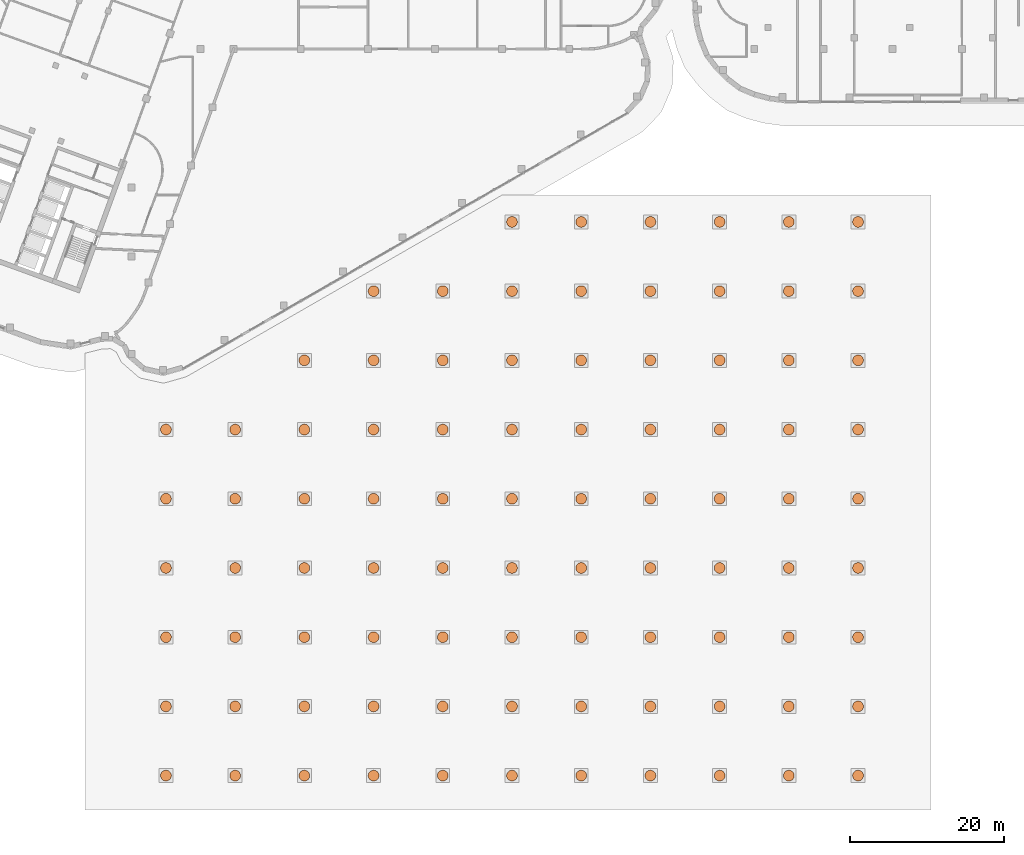
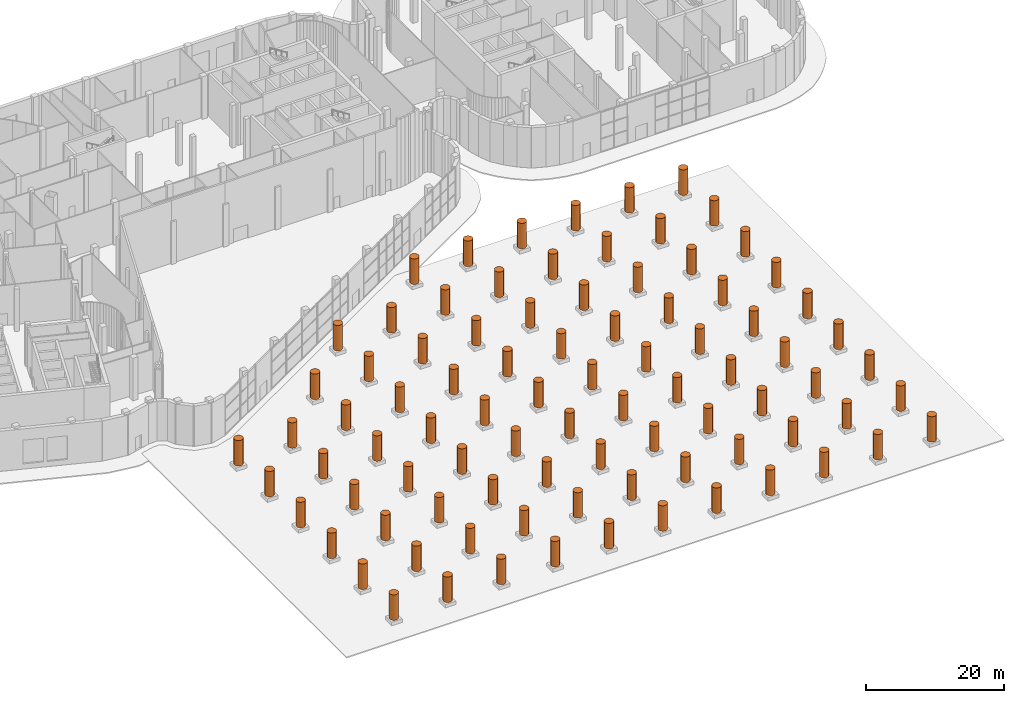
# One storey, part 30 of 30: 89 geographic elements.
"""IFC4 building model written with IfcOpenShell, lengths in metres."""

from ifc_helpers import new_model, si_unit, direction, frame, origin, origin_2d, place, context, subcontext, project, spatial, circle, extrude, element, save


model = new_model("IFC4")

# Units and contexts
model_context = context("Model", 3, precision=1e-05, world=origin(), true_north=direction((0.0, 1.0)))
body_context = subcontext(model_context, "Body", "Model", "MODEL_VIEW")
ifc_project = project(units=[si_unit("LENGTHUNIT", "METRE"), si_unit("AREAUNIT", "SQUARE_METRE"), si_unit("VOLUMEUNIT", "CUBIC_METRE"), si_unit("PLANEANGLEUNIT", "RADIAN"), si_unit("MASSUNIT", "GRAM", prefix="KILO")], contexts=[model_context])

# Site, building, storey
site_placement = place(None, origin())
site = spatial("IfcSite", under=ifc_project, at=site_placement, CompositionType="ELEMENT")
building_placement = place(site_placement, origin())
building = spatial("IfcBuilding", under=site, at=building_placement, Name="Skarvind Civic Tower", CompositionType="ELEMENT")
storey_placement = place(building_placement, origin())
storey = spatial("IfcBuildingStorey", under=building, at=storey_placement, Name="L00", CompositionType="ELEMENT", Elevation=0.0)

# Geographic elements
for number, where, z_axis, x_axis, name in (
    (1, (50.5, 14.5, 0.60009765625), (0.0, 0.0, 1.0), (1.0, 0.0, 0.0), "PLAZA TREE"),
    (2, (50.5, 23.5, 0.60009765625), (0.0, 0.0, 1.0), (1.0, 0.0, 0.0), "PLAZA TREE"),
    (3, (50.5, 32.5, 0.60009765625), (0.0, 0.0, 1.0), (1.0, 0.0, 0.0), "PLAZA TREE"),
    (4, (50.5, 41.5, 0.60009765625), (0.0, 0.0, 1.0), (1.0, 0.0, 0.0), "PLAZA TREE"),
    (5, (50.5, 50.5, 0.60009765625), (0.0, 0.0, 1.0), (1.0, 0.0, 0.0), "PLAZA TREE"),
    (6, (50.5, 59.5, 0.60009765625), (0.0, 0.0, 1.0), (1.0, 0.0, 0.0), "PLAZA TREE"),
    (7, (59.5, 14.5, 0.60009765625), (0.0, 0.0, 1.0), (1.0, 0.0, 0.0), "PLAZA TREE"),
    (8, (59.5, 23.5, 0.60009765625), (0.0, 0.0, 1.0), (1.0, 0.0, 0.0), "PLAZA TREE"),
    (9, (59.5, 32.5, 0.60009765625), (0.0, 0.0, 1.0), (1.0, 0.0, 0.0), "PLAZA TREE"),
    (10, (59.5, 41.5, 0.60009765625), (0.0, 0.0, 1.0), (1.0, 0.0, 0.0), "PLAZA TREE"),
    (11, (59.5, 50.5, 0.60009765625), (0.0, 0.0, 1.0), (1.0, 0.0, 0.0), "PLAZA TREE"),
    (12, (59.5, 59.5, 0.60009765625), (0.0, 0.0, 1.0), (1.0, 0.0, 0.0), "PLAZA TREE"),
    (13, (68.5, 14.5, 0.60009765625), (0.0, 0.0, 1.0), (1.0, 0.0, 0.0), "PLAZA TREE"),
    (14, (68.5, 23.5, 0.60009765625), (0.0, 0.0, 1.0), (1.0, 0.0, 0.0), "PLAZA TREE"),
    (15, (68.5, 32.5, 0.60009765625), (0.0, 0.0, 1.0), (1.0, 0.0, 0.0), "PLAZA TREE"),
    (16, (68.5, 41.5, 0.60009765625), (0.0, 0.0, 1.0), (1.0, 0.0, 0.0), "PLAZA TREE"),
    (17, (68.5, 50.5, 0.60009765625), (0.0, 0.0, 1.0), (1.0, 0.0, 0.0), "PLAZA TREE"),
    (18, (68.5, 59.5, 0.60009765625), (0.0, 0.0, 1.0), (1.0, 0.0, 0.0), "PLAZA TREE"),
    (19, (68.5, 68.5, 0.60009765625), (0.0, 0.0, 1.0), (1.0, 0.0, 0.0), "PLAZA TREE"),
    (20, (77.5, 14.5, 0.60009765625), (0.0, 0.0, 1.0), (1.0, 0.0, 0.0), "PLAZA TREE"),
    (21, (77.5, 23.5, 0.60009765625), (0.0, 0.0, 1.0), (1.0, 0.0, 0.0), "PLAZA TREE"),
    (22, (77.5, 32.5, 0.60009765625), (0.0, 0.0, 1.0), (1.0, 0.0, 0.0), "PLAZA TREE"),
    (23, (77.5, 41.5, 0.60009765625), (0.0, 0.0, 1.0), (1.0, 0.0, 0.0), "PLAZA TREE"),
    (24, (77.5, 50.5, 0.60009765625), (0.0, 0.0, 1.0), (1.0, 0.0, 0.0), "PLAZA TREE"),
    (25, (77.5, 59.5, 0.60009765625), (0.0, 0.0, 1.0), (1.0, 0.0, 0.0), "PLAZA TREE"),
    (26, (77.5, 68.5, 0.60009765625), (0.0, 0.0, 1.0), (1.0, 0.0, 0.0), "PLAZA TREE"),
    (27, (77.5, 77.5, 0.60009765625), (0.0, 0.0, 1.0), (1.0, 0.0, 0.0), "PLAZA TREE"),
    (28, (86.5, 14.5, 0.60009765625), (0.0, 0.0, 1.0), (1.0, 0.0, 0.0), "PLAZA TREE"),
    (29, (86.5, 23.5, 0.60009765625), (0.0, 0.0, 1.0), (1.0, 0.0, 0.0), "PLAZA TREE"),
    (30, (86.5, 32.5, 0.60009765625), (0.0, 0.0, 1.0), (1.0, 0.0, 0.0), "PLAZA TREE"),
    (31, (86.5, 41.5, 0.60009765625), (0.0, 0.0, 1.0), (1.0, 0.0, 0.0), "PLAZA TREE"),
    (32, (86.5, 50.5, 0.60009765625), (0.0, 0.0, 1.0), (1.0, 0.0, 0.0), "PLAZA TREE"),
    (33, (86.5, 59.5, 0.60009765625), (0.0, 0.0, 1.0), (1.0, 0.0, 0.0), "PLAZA TREE"),
    (34, (86.5, 68.5, 0.60009765625), (0.0, 0.0, 1.0), (1.0, 0.0, 0.0), "PLAZA TREE"),
    (35, (86.5, 77.5, 0.60009765625), (0.0, 0.0, 1.0), (1.0, 0.0, 0.0), "PLAZA TREE"),
    (36, (95.5, 14.5, 0.60009765625), (0.0, 0.0, 1.0), (1.0, 0.0, 0.0), "PLAZA TREE"),
    (37, (95.5, 23.5, 0.60009765625), (0.0, 0.0, 1.0), (1.0, 0.0, 0.0), "PLAZA TREE"),
    (38, (95.5, 32.5, 0.60009765625), (0.0, 0.0, 1.0), (1.0, 0.0, 0.0), "PLAZA TREE"),
    (39, (95.5, 41.5, 0.60009765625), (0.0, 0.0, 1.0), (1.0, 0.0, 0.0), "PLAZA TREE"),
    (40, (95.5, 50.5, 0.60009765625), (0.0, 0.0, 1.0), (1.0, 0.0, 0.0), "PLAZA TREE"),
    (41, (95.5, 59.5, 0.60009765625), (0.0, 0.0, 1.0), (1.0, 0.0, 0.0), "PLAZA TREE"),
    (42, (95.5, 68.5, 0.60009765625), (0.0, 0.0, 1.0), (1.0, 0.0, 0.0), "PLAZA TREE"),
    (43, (95.5, 77.5, 0.60009765625), (0.0, 0.0, 1.0), (1.0, 0.0, 0.0), "PLAZA TREE"),
    (44, (95.5, 86.5, 0.60009765625), (0.0, 0.0, 1.0), (1.0, 0.0, 0.0), "PLAZA TREE"),
    (45, (104.5, 14.5, 0.60009765625), (0.0, 0.0, 1.0), (1.0, 0.0, 0.0), "PLAZA TREE"),
    (46, (104.5, 23.5, 0.60009765625), (0.0, 0.0, 1.0), (1.0, 0.0, 0.0), "PLAZA TREE"),
    (47, (104.5, 32.5, 0.60009765625), (0.0, 0.0, 1.0), (1.0, 0.0, 0.0), "PLAZA TREE"),
    (48, (104.5, 41.5, 0.60009765625), (0.0, 0.0, 1.0), (1.0, 0.0, 0.0), "PLAZA TREE"),
    (49, (104.5, 50.5, 0.60009765625), (0.0, 0.0, 1.0), (1.0, 0.0, 0.0), "PLAZA TREE"),
    (50, (104.5, 59.5, 0.60009765625), (0.0, 0.0, 1.0), (1.0, 0.0, 0.0), "PLAZA TREE"),
    (51, (104.5, 68.5, 0.60009765625), (0.0, 0.0, 1.0), (1.0, 0.0, 0.0), "PLAZA TREE"),
    (52, (104.5, 77.5, 0.60009765625), (0.0, 0.0, 1.0), (1.0, 0.0, 0.0), "PLAZA TREE"),
    (53, (104.5, 86.5, 0.60009765625), (0.0, 0.0, 1.0), (1.0, 0.0, 0.0), "PLAZA TREE"),
    (54, (113.5, 14.5, 0.60009765625), (0.0, 0.0, 1.0), (1.0, 0.0, 0.0), "PLAZA TREE"),
    (55, (113.5, 23.5, 0.60009765625), (0.0, 0.0, 1.0), (1.0, 0.0, 0.0), "PLAZA TREE"),
    (56, (113.5, 32.5, 0.60009765625), (0.0, 0.0, 1.0), (1.0, 0.0, 0.0), "PLAZA TREE"),
    (57, (113.5, 41.5, 0.60009765625), (0.0, 0.0, 1.0), (1.0, 0.0, 0.0), "PLAZA TREE"),
    (58, (113.5, 50.5, 0.60009765625), (0.0, 0.0, 1.0), (1.0, 0.0, 0.0), "PLAZA TREE"),
    (59, (113.5, 59.5, 0.60009765625), (0.0, 0.0, 1.0), (1.0, 0.0, 0.0), "PLAZA TREE"),
    (60, (113.5, 68.5, 0.60009765625), (0.0, 0.0, 1.0), (1.0, 0.0, 0.0), "PLAZA TREE"),
    (61, (113.5, 77.5, 0.60009765625), (0.0, 0.0, 1.0), (1.0, 0.0, 0.0), "PLAZA TREE"),
    (62, (113.5, 86.5, 0.60009765625), (0.0, 0.0, 1.0), (1.0, 0.0, 0.0), "PLAZA TREE"),
    (63, (122.5, 14.5, 0.60009765625), (0.0, 0.0, 1.0), (1.0, 0.0, 0.0), "PLAZA TREE"),
    (64, (122.5, 23.5, 0.60009765625), (0.0, 0.0, 1.0), (1.0, 0.0, 0.0), "PLAZA TREE"),
    (65, (122.5, 32.5, 0.60009765625), (0.0, 0.0, 1.0), (1.0, 0.0, 0.0), "PLAZA TREE"),
    (66, (122.5, 41.5, 0.60009765625), (0.0, 0.0, 1.0), (1.0, 0.0, 0.0), "PLAZA TREE"),
    (67, (122.5, 50.5, 0.60009765625), (0.0, 0.0, 1.0), (1.0, 0.0, 0.0), "PLAZA TREE"),
    (68, (122.5, 59.5, 0.60009765625), (0.0, 0.0, 1.0), (1.0, 0.0, 0.0), "PLAZA TREE"),
    (69, (122.5, 68.5, 0.60009765625), (0.0, 0.0, 1.0), (1.0, 0.0, 0.0), "PLAZA TREE"),
    (70, (122.5, 77.5, 0.60009765625), (0.0, 0.0, 1.0), (1.0, 0.0, 0.0), "PLAZA TREE"),
    (71, (122.5, 86.5, 0.60009765625), (0.0, 0.0, 1.0), (1.0, 0.0, 0.0), "PLAZA TREE"),
    (72, (131.5, 14.5, 0.60009765625), (0.0, 0.0, 1.0), (1.0, 0.0, 0.0), "PLAZA TREE"),
    (73, (131.5, 23.5, 0.60009765625), (0.0, 0.0, 1.0), (1.0, 0.0, 0.0), "PLAZA TREE"),
    (74, (131.5, 32.5, 0.60009765625), (0.0, 0.0, 1.0), (1.0, 0.0, 0.0), "PLAZA TREE"),
    (75, (131.5, 41.5, 0.60009765625), (0.0, 0.0, 1.0), (1.0, 0.0, 0.0), "PLAZA TREE"),
    (76, (131.5, 50.5, 0.60009765625), (0.0, 0.0, 1.0), (1.0, 0.0, 0.0), "PLAZA TREE"),
    (77, (131.5, 59.5, 0.60009765625), (0.0, 0.0, 1.0), (1.0, 0.0, 0.0), "PLAZA TREE"),
    (78, (131.5, 68.5, 0.60009765625), (0.0, 0.0, 1.0), (1.0, 0.0, 0.0), "PLAZA TREE"),
    (79, (131.5, 77.5, 0.60009765625), (0.0, 0.0, 1.0), (1.0, 0.0, 0.0), "PLAZA TREE"),
    (80, (131.5, 86.5, 0.60009765625), (0.0, 0.0, 1.0), (1.0, 0.0, 0.0), "PLAZA TREE"),
    (81, (140.5, 14.5, 0.60009765625), (0.0, 0.0, 1.0), (1.0, 0.0, 0.0), "PLAZA TREE"),
    (82, (140.5, 23.5, 0.60009765625), (0.0, 0.0, 1.0), (1.0, 0.0, 0.0), "PLAZA TREE"),
    (83, (140.5, 32.5, 0.60009765625), (0.0, 0.0, 1.0), (1.0, 0.0, 0.0), "PLAZA TREE"),
    (84, (140.5, 41.5, 0.60009765625), (0.0, 0.0, 1.0), (1.0, 0.0, 0.0), "PLAZA TREE"),
    (85, (140.5, 50.5, 0.60009765625), (0.0, 0.0, 1.0), (1.0, 0.0, 0.0), "PLAZA TREE"),
    (86, (140.5, 59.5, 0.60009765625), (0.0, 0.0, 1.0), (1.0, 0.0, 0.0), "PLAZA TREE"),
    (87, (140.5, 68.5, 0.60009765625), (0.0, 0.0, 1.0), (1.0, 0.0, 0.0), "PLAZA TREE"),
    (88, (140.5, 77.5, 0.60009765625), (0.0, 0.0, 1.0), (1.0, 0.0, 0.0), "PLAZA TREE"),
    (89, (140.5, 86.5, 0.60009765625), (0.0, 0.0, 1.0), (1.0, 0.0, 0.0), "PLAZA TREE"),
):
    element("IfcGeographicElement", number, at=place(storey_placement, frame(where, z_axis=z_axis, x_axis=x_axis)), inside=storey, Name=name, ObjectType="TREE", PredefinedType="USERDEFINED", context=body_context, shape_type="SweptSolid", body=[
        extrude(circle(Radius=0.699951171875, at=origin_2d()), origin(), (0.0, 0.0, 1.0), 4.5),
    ])

save(model, "model.ifc")
